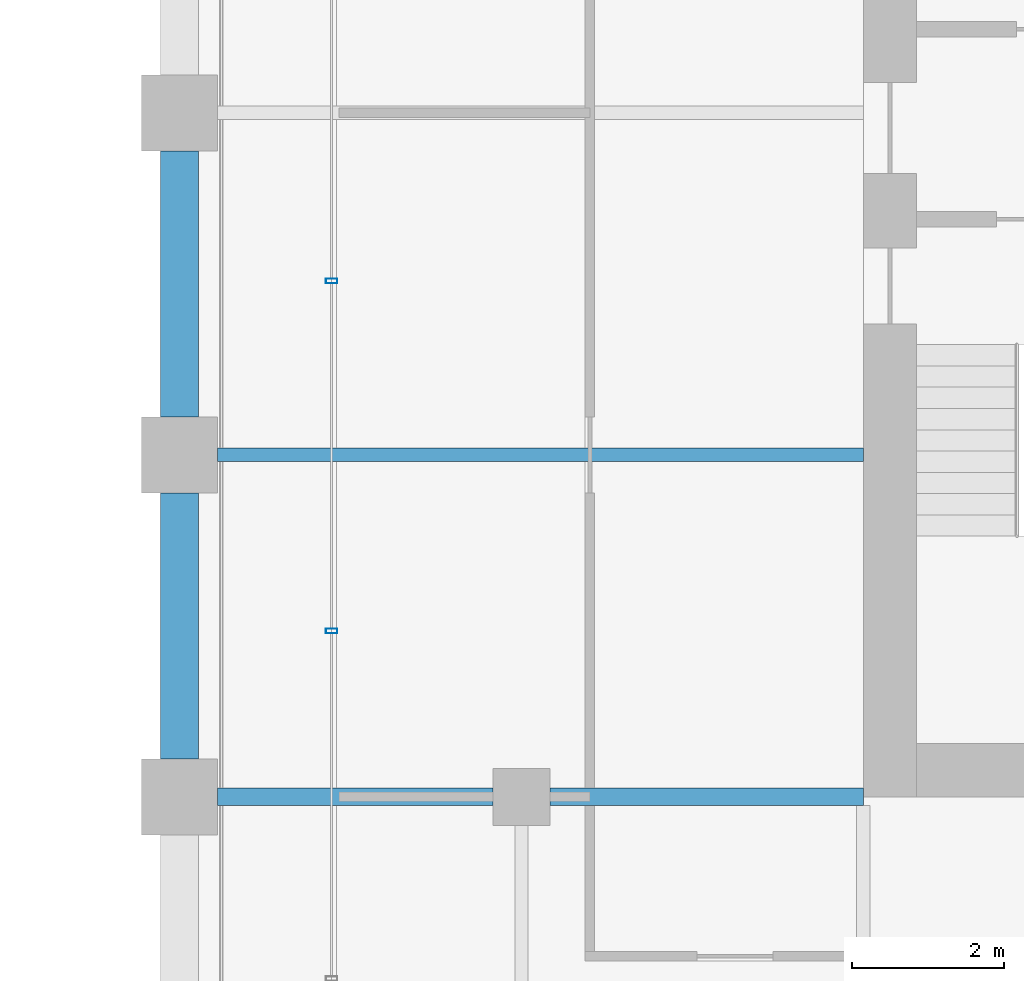
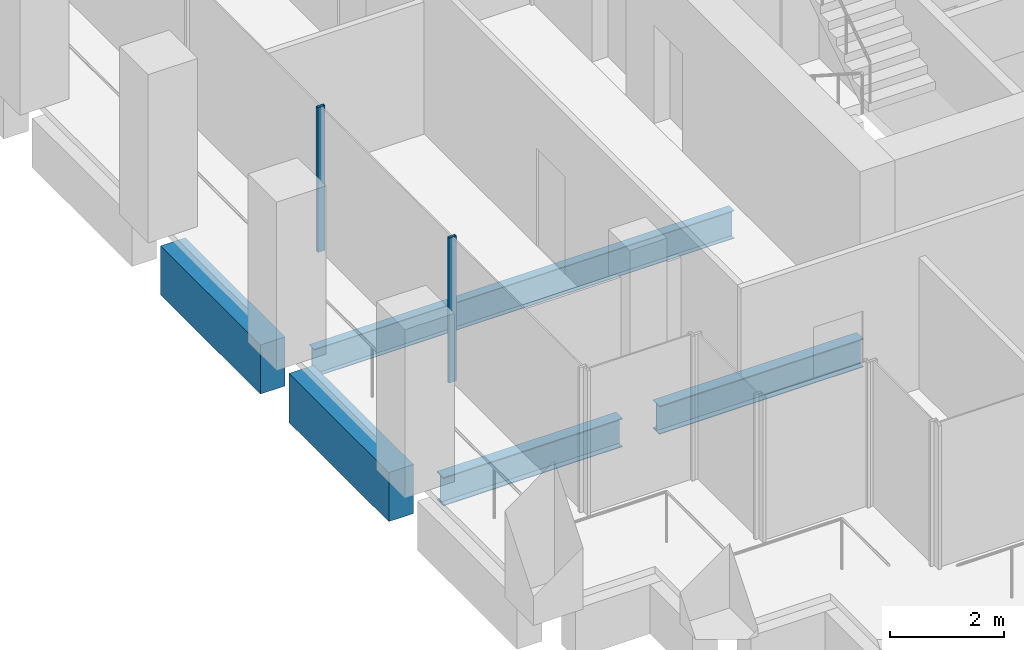
# One storey, part 30 of 46: 5 beams, 2 members, 1 element without a shape of its own.
"""IFC4 building model written with IfcOpenShell, lengths in metres."""

from ifc_helpers import new_model, si_unit, direction, frame, origin, origin_2d, place, context, subcontext, project, spatial, rectangle, hollow_rectangle, i_section, extrude, material, material_profile, profile_set, type_object, element, aggregate, save


model = new_model("IFC4")

# Units and contexts
model_context = context("Model", 3, precision=1e-05, world=origin(), true_north=direction((0.0, 1.0)))
body_context = subcontext(model_context, "Body", "Model", "MODEL_VIEW")
ifc_project = project(units=[si_unit("LENGTHUNIT", "METRE"), si_unit("AREAUNIT", "SQUARE_METRE"), si_unit("VOLUMEUNIT", "CUBIC_METRE"), si_unit("PLANEANGLEUNIT", "RADIAN"), si_unit("MASSUNIT", "GRAM", prefix="KILO")], contexts=[model_context])

# Site, building, storey
site_placement = place(None, origin())
site = spatial("IfcSite", under=ifc_project, at=site_placement, CompositionType="ELEMENT")
building_placement = place(site_placement, origin())
building = spatial("IfcBuilding", under=site, at=building_placement, Name="Altepetl Exchange Towers", CompositionType="ELEMENT")
storey_placement = place(building_placement, frame((0.0, 0.0, 106.39990234375)))
storey = spatial("IfcBuildingStorey", under=building, at=storey_placement, Name="L26", CompositionType="ELEMENT", Elevation=106.39990234375)

# Beams
ifc_material_1 = material(Name="Steel S355", Category="steel")
ifc_material_profile_1 = material_profile(ifc_material_1, i_section(OverallWidth=0.177978515625, OverallDepth=0.59912109375, WebThickness=0.010009765625, FlangeThickness=0.0126953125, at=origin_2d()), Name="W24X55")
ifc_profile_set_1 = profile_set([ifc_material_profile_1], Name="Steel S355")
beam_type_1 = type_object("IfcBeamType", Name="Floor beam W24X55", PredefinedType="BEAM", material=ifc_profile_set_1)
beam_1_placement = place(storey_placement, frame((95.0, 40.5, -0.449462890625), z_axis=(1.0, 0.0, 0.0), x_axis=(0.0, 1.0, 0.0)))
element("IfcBeam", 1, at=beam_1_placement, inside=storey, type_object=beam_type_1, Name="bm:B:L26:008", PredefinedType="BEAM", context=body_context, shape_type="SweptSolid", body=[
    extrude(i_section(OverallWidth=0.177978515625, OverallDepth=0.59912109375, WebThickness=0.010009765625, FlangeThickness=0.0126953125, at=origin_2d()), origin(), (0.0, 0.0, 1.0), 8.5),
])
ifc_material_profile_2 = material_profile(ifc_material_1, i_section(OverallWidth=0.22802734375, OverallDepth=0.60791015625, WebThickness=0.01123046875, FlangeThickness=0.017333984375, at=origin_2d()), Name="W24X76")
ifc_profile_set_2 = profile_set([ifc_material_profile_2], Name="Steel S355")
beam_type_2 = type_object("IfcBeamType", Name="Girder W24X76", PredefinedType="BEAM", material=ifc_profile_set_2)
beam_2_placement = place(storey_placement, frame((103.5, 36.0, -0.453857421875), z_axis=(-1.0, 0.0, 0.0), x_axis=(0.0, -1.0, 0.0)))
element("IfcBeam", 2, at=beam_2_placement, inside=storey, type_object=beam_type_2, Name="gd:B:L26:002", PredefinedType="BEAM", context=body_context, shape_type="SweptSolid", body=[
    extrude(i_section(OverallWidth=0.22802734375, OverallDepth=0.60791015625, WebThickness=0.01123046875, FlangeThickness=0.017333984375, at=origin_2d()), origin(), (0.0, 0.0, 1.0), 4.125),
])
beam_3_placement = place(storey_placement, frame((98.625, 36.0, -0.453857421875), z_axis=(-1.0, 0.0, 0.0), x_axis=(0.0, -1.0, 0.0)))
element("IfcBeam", 3, at=beam_3_placement, inside=storey, type_object=beam_type_2, Name="gd:B:L26:003", PredefinedType="BEAM", context=body_context, shape_type="SweptSolid", body=[
    extrude(i_section(OverallWidth=0.22802734375, OverallDepth=0.60791015625, WebThickness=0.01123046875, FlangeThickness=0.017333984375, at=origin_2d()), origin(), (0.0, 0.0, 1.0), 3.625),
])

# Curtain wall, members
ifc_material_2 = material(Name="Aluminium 6063-T6 glazing", Category="aluminium")
curtain_wall_type = type_object("IfcCurtainWallType", Name="Loggia glazing system", PredefinedType="NOTDEFINED", material=ifc_material_2)
curtain_wall_placement = place(storey_placement, origin())
curtain_wall = element("IfcCurtainWall", 4, at=curtain_wall_placement, inside=storey, type_object=curtain_wall_type, Name="CW1 run", PredefinedType="NOTDEFINED")
ifc_material_3 = material(Name="Aluminium 6063-T6", Category="aluminium")
ifc_material_profile_3 = material_profile(ifc_material_3, hollow_rectangle(XDim=0.06005859375, YDim=0.14990234375, WallThickness=0.0029296875, at=origin_2d()), Name="Mullion 60x150 aluminium")
ifc_profile_set_3 = profile_set([ifc_material_profile_3], Name="Aluminium 6063-T6")
member_type = type_object("IfcMemberType", Name="Mullion 60x150 aluminium", PredefinedType="MULLION", material=ifc_profile_set_3)
member_1_placement = place(storey_placement, frame((96.5, 42.78759765625, 0.0), z_axis=(0.0, 0.0, 1.0), x_axis=(0.0, -1.0, 0.0)))
member_1 = element("IfcMember", 5, at=member_1_placement, type_object=member_type, Name="MU1 mullion", PredefinedType="MULLION", context=body_context, shape_type="SweptSolid", body=[
    extrude(hollow_rectangle(XDim=0.06005859375, YDim=0.14990234375, WallThickness=0.0029296875, at=origin_2d()), origin(), (0.0, 0.0, 1.0), 3.10009765625),
])
member_2_placement = place(storey_placement, frame((96.5, 38.18115234375, 0.0), z_axis=(0.0, 0.0, 1.0), x_axis=(0.0, -1.0, 0.0)))
member_2 = element("IfcMember", 6, at=member_2_placement, type_object=member_type, Name="MU1 mullion", PredefinedType="MULLION", context=body_context, shape_type="SweptSolid", body=[
    extrude(hollow_rectangle(XDim=0.06005859375, YDim=0.14990234375, WallThickness=0.0029296875, at=origin_2d()), origin(), (0.0, 0.0, 1.0), 3.10009765625),
])
aggregate(curtain_wall, [member_1, member_2])

# Beams
ifc_material_4 = material(Name="Concrete C50/60 precast with cantera rosa facing", Category="concrete")
ifc_material_profile_4 = material_profile(ifc_material_4, rectangle(XDim=0.5, YDim=1.050048828125, at=origin_2d()), Name="500 x 1050")
ifc_profile_set_4 = profile_set([ifc_material_profile_4], Name="Concrete C50/60 precast with cantera rosa facing")
beam_type_3 = type_object("IfcBeamType", Name="Spandrel beam 500x1050 cantera rosa", PredefinedType="SPANDREL", material=ifc_profile_set_4)
for number, where, z_axis, x_axis, name in (
    (7, (94.5, 44.5, -0.6748046875), (0.0, -1.0, 0.0), (1.0, 0.0, 0.0), "sp:B:L26:024"),
    (8, (94.5, 40.0, -0.6748046875), (0.0, -1.0, 0.0), (1.0, 0.0, 0.0), "sp:B:L26:025"),
):
    element("IfcBeam", number, at=place(storey_placement, frame(where, z_axis=z_axis, x_axis=x_axis)), inside=storey, type_object=beam_type_3, Name=name, PredefinedType="SPANDREL", context=body_context, shape_type="SweptSolid", body=[
        extrude(rectangle(XDim=0.5, YDim=1.050048828125, at=origin_2d()), origin(), (0.0, 0.0, 1.0), 3.5),
    ])

save(model, "model.ifc")
